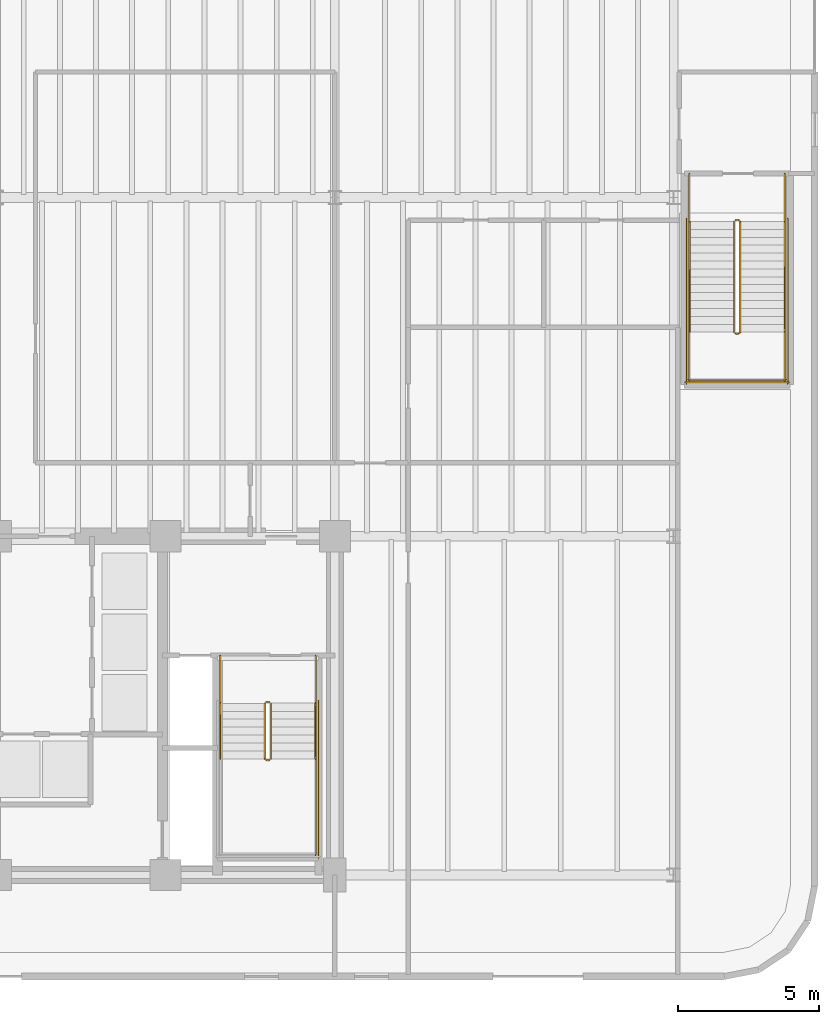
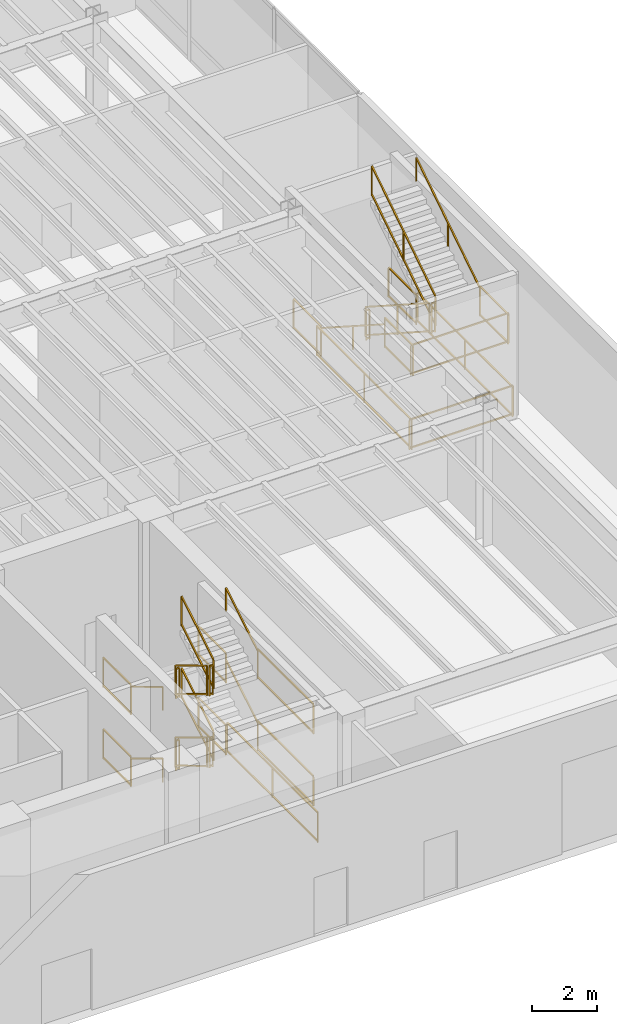
# One storey, part 16 of 17: 33 railings.
"""IFC4 building model written with IfcOpenShell, lengths in metres."""

from ifc_helpers import new_model, si_unit, direction, frame, origin, origin_2d, place, context, subcontext, project, spatial, rectangle, extrude, material, layer, layer_set, type_object, element, save


model = new_model("IFC4")

# Units and contexts
model_context = context("Model", 3, precision=1e-05, world=origin(), true_north=direction((0.0, 1.0)))
body_context = subcontext(model_context, "Body", "Model", "MODEL_VIEW")
ifc_project = project(units=[si_unit("LENGTHUNIT", "METRE"), si_unit("AREAUNIT", "SQUARE_METRE"), si_unit("VOLUMEUNIT", "CUBIC_METRE"), si_unit("PLANEANGLEUNIT", "RADIAN"), si_unit("MASSUNIT", "GRAM", prefix="KILO")], contexts=[model_context])

# Site, building, storey
site_placement = place(None, origin())
site = spatial("IfcSite", under=ifc_project, at=site_placement, CompositionType="ELEMENT")
building_placement = place(site_placement, origin())
building = spatial("IfcBuilding", under=site, at=building_placement, Name="Brelvock Crest Care Tower", CompositionType="ELEMENT")
storey_placement = place(building_placement, origin())
storey = spatial("IfcBuildingStorey", under=building, at=storey_placement, Name="L00", CompositionType="ELEMENT", Elevation=0.0)

# Railings
ifc_material = material(Name="Steel Grade 350", Category="steel")
ifc_layer_1 = layer(ifc_material, 0.050048828125, Name="RL-STG1")
ifc_layer_set_1 = layer_set([ifc_layer_1], Name="Steel Grade 350")
railing_type_1 = type_object("IfcRailingType", Name="RL-STG1", PredefinedType="GUARDRAIL", material=ifc_layer_set_1)
railing_1_placement = place(storey_placement, frame((45.52001953125, 12.080078125, 0.168701171875)))
element("IfcRailing", 1, at=railing_1_placement, inside=storey, type_object=railing_type_1, Name="L00 ST-2 stair guard 1", PredefinedType="GUARDRAIL", context=body_context, shape_type="SweptSolid", body=[
    extrude(rectangle(XDim=0.048095703125, YDim=0.048095703125, at=origin_2d()), frame((0.0, -0.001708984375, 1.116943359375), z_axis=(0.0, -0.856446297458, 0.516236127728), x_axis=(1.0, 0.0, 0.0)), (0.0, 0.0, 1.0), 2.284423828125),
    extrude(rectangle(XDim=0.048095703125, YDim=0.048095703125, at=origin_2d()), frame((0.0, -0.001708984375, 0.05615234375), z_axis=(0.0, -0.856446297458, 0.516236127728), x_axis=(1.0, 0.0, 0.0)), (0.0, 0.0, 1.0), 2.284423828125),
    extrude(rectangle(XDim=0.0419921875, YDim=0.0419921875, at=origin_2d()), origin(), (0.0, 0.0, 1.0), 1.08984375),
    extrude(rectangle(XDim=0.0419921875, YDim=0.0419921875, at=origin_2d()), frame((0.0, -1.9599609375, 1.181396484375)), (0.0, 0.0, 1.0), 1.08984375),
])
railing_2_placement = place(storey_placement, frame((45.570068359375, 10.070068359375, 1.35009765625)))
element("IfcRailing", 2, at=railing_2_placement, inside=storey, type_object=railing_type_1, Name="L00 ST-2 stair guard 2", PredefinedType="GUARDRAIL", context=body_context, shape_type="SweptSolid", body=[
    extrude(rectangle(XDim=0.048095703125, YDim=0.048095703125, at=origin_2d()), frame((0.001953125, 0.0, 1.11572265625), z_axis=(1.0, 0.0, 0.0), x_axis=(0.0, 1.0, 0.0)), (0.0, 0.0, 1.0), 0.115966796875),
    extrude(rectangle(XDim=0.048095703125, YDim=0.048095703125, at=origin_2d()), frame((0.001953125, 0.0, 0.054931640625), z_axis=(1.0, 0.0, 0.0), x_axis=(0.0, 1.0, 0.0)), (0.0, 0.0, 1.0), 0.115966796875),
    extrude(rectangle(XDim=0.0419921875, YDim=0.0419921875, at=origin_2d()), origin(), (0.0, 0.0, 1.0), 1.08984375),
    extrude(rectangle(XDim=0.0419921875, YDim=0.0419921875, at=origin_2d()), frame((0.119873046875, 0.0, 0.0)), (0.0, 0.0, 1.0), 1.08984375),
])
railing_3_placement = place(storey_placement, frame((47.320068359375, 10.1201171875, 1.35009765625)))
element("IfcRailing", 3, at=railing_3_placement, inside=storey, type_object=railing_type_1, Name="L00 ST-2 stair guard 4", PredefinedType="GUARDRAIL", context=body_context, shape_type="SweptSolid", body=[
    extrude(rectangle(XDim=0.048095703125, YDim=0.048095703125, at=origin_2d()), frame((0.0, -0.001953125, 1.11572265625), z_axis=(0.0, -1.0, 0.0), x_axis=(1.0, 0.0, 0.0)), (0.0, 0.0, 1.0), 3.416259765625),
    extrude(rectangle(XDim=0.048095703125, YDim=0.048095703125, at=origin_2d()), frame((0.0, -0.001953125, 0.054931640625), z_axis=(0.0, -1.0, 0.0), x_axis=(1.0, 0.0, 0.0)), (0.0, 0.0, 1.0), 3.416259765625),
    extrude(rectangle(XDim=0.0419921875, YDim=0.0419921875, at=origin_2d()), origin(), (0.0, 0.0, 1.0), 1.08984375),
    extrude(rectangle(XDim=0.0419921875, YDim=0.0419921875, at=origin_2d()), frame((0.0, -3.420166015625, 0.0)), (0.0, 0.0, 1.0), 1.08984375),
])
railing_4_placement = place(storey_placement, frame((45.739990234375, 10.1201171875, 1.518798828125)))
element("IfcRailing", 4, at=railing_4_placement, inside=storey, type_object=railing_type_1, Name="L00 ST-2 stair guard 6", PredefinedType="GUARDRAIL", context=body_context, shape_type="SweptSolid", body=[
    extrude(rectangle(XDim=0.048095703125, YDim=0.048095703125, at=origin_2d()), frame((0.0, 0.001708984375, 1.116943359375), z_axis=(0.0, 0.856493463811, 0.516157869696), x_axis=(-1.0, 0.0, 0.0)), (0.0, 0.0, 1.0), 2.284423828125),
    extrude(rectangle(XDim=0.048095703125, YDim=0.048095703125, at=origin_2d()), frame((0.0, 0.001708984375, 0.05615234375), z_axis=(0.0, 0.856493463811, 0.516157869696), x_axis=(-1.0, 0.0, 0.0)), (0.0, 0.0, 1.0), 2.284423828125),
    extrude(rectangle(XDim=0.0419921875, YDim=0.0419921875, at=origin_2d()), origin(), (0.0, 0.0, 1.0), 1.08984375),
    extrude(rectangle(XDim=0.0419921875, YDim=0.0419921875, at=origin_2d()), frame((0.0, 1.9599609375, 1.18115234375)), (0.0, 0.0, 1.0), 1.08984375),
])
railing_5_placement = place(storey_placement, frame((45.570068359375, 12.1298828125, 2.699951171875)))
element("IfcRailing", 5, at=railing_5_placement, inside=storey, type_object=railing_type_1, Name="L00 ST-2 stair guard 7", PredefinedType="GUARDRAIL", context=body_context, shape_type="SweptSolid", body=[
    extrude(rectangle(XDim=0.048095703125, YDim=0.048095703125, at=origin_2d()), frame((0.001953125, 0.0, 1.11572265625), z_axis=(1.0, 0.0, 0.0), x_axis=(0.0, 1.0, 0.0)), (0.0, 0.0, 1.0), 0.115966796875),
    extrude(rectangle(XDim=0.048095703125, YDim=0.048095703125, at=origin_2d()), frame((0.001953125, 0.0, 0.054931640625), z_axis=(1.0, 0.0, 0.0), x_axis=(0.0, 1.0, 0.0)), (0.0, 0.0, 1.0), 0.115966796875),
    extrude(rectangle(XDim=0.0419921875, YDim=0.0419921875, at=origin_2d()), origin(), (0.0, 0.0, 1.0), 1.08984375),
    extrude(rectangle(XDim=0.0419921875, YDim=0.0419921875, at=origin_2d()), frame((0.119873046875, 0.0, 0.0)), (0.0, 0.0, 1.0), 1.08984375),
])
for number, where, name in (
    (6, (43.93994140625, 13.780029296875, 2.699951171875), "L00 ST-2 stair guard 8"),
    (7, (47.320068359375, 13.780029296875, 2.699951171875), "L00 ST-2 stair guard 9"),
):
    element("IfcRailing", number, at=place(storey_placement, frame(where)), inside=storey, type_object=railing_type_1, Name=name, PredefinedType="GUARDRAIL", context=body_context, shape_type="SweptSolid", body=[
        extrude(rectangle(XDim=0.048095703125, YDim=0.048095703125, at=origin_2d()), frame((0.0, -0.001953125, 1.11572265625), z_axis=(0.0, -1.0, 0.0), x_axis=(1.0, 0.0, 0.0)), (0.0, 0.0, 1.0), 1.696044921875),
        extrude(rectangle(XDim=0.048095703125, YDim=0.048095703125, at=origin_2d()), frame((0.0, -0.001953125, 0.054931640625), z_axis=(0.0, -1.0, 0.0), x_axis=(1.0, 0.0, 0.0)), (0.0, 0.0, 1.0), 1.696044921875),
        extrude(rectangle(XDim=0.0419921875, YDim=0.0419921875, at=origin_2d()), origin(), (0.0, 0.0, 1.0), 1.08984375),
        extrude(rectangle(XDim=0.0419921875, YDim=0.0419921875, at=origin_2d()), frame((0.0, -1.699951171875, 0.0)), (0.0, 0.0, 1.0), 1.08984375),
    ])
railing_6_placement = place(storey_placement, frame((45.52001953125, 12.080078125, 2.86865234375)))
element("IfcRailing", 8, at=railing_6_placement, inside=storey, type_object=railing_type_1, Name="L00 ST-2 stair guard 10", PredefinedType="GUARDRAIL", context=body_context, shape_type="SweptSolid", body=[
    extrude(rectangle(XDim=0.048095703125, YDim=0.048095703125, at=origin_2d()), frame((0.0, -0.001708984375, 1.116943359375), z_axis=(0.0, -0.856446297458, 0.516236127728), x_axis=(1.0, 0.0, 0.0)), (0.0, 0.0, 1.0), 2.284423828125),
    extrude(rectangle(XDim=0.048095703125, YDim=0.048095703125, at=origin_2d()), frame((0.0, -0.001708984375, 0.05615234375), z_axis=(0.0, -0.856446297458, 0.516236127728), x_axis=(1.0, 0.0, 0.0)), (0.0, 0.0, 1.0), 2.284423828125),
    extrude(rectangle(XDim=0.0419921875, YDim=0.0419921875, at=origin_2d()), origin(), (0.0, 0.0, 1.0), 1.08984375),
    extrude(rectangle(XDim=0.0419921875, YDim=0.0419921875, at=origin_2d()), frame((0.0, -1.9599609375, 1.181396484375)), (0.0, 0.0, 1.0), 1.08984375),
])
railing_7_placement = place(storey_placement, frame((45.570068359375, 10.070068359375, 4.050048828125)))
element("IfcRailing", 9, at=railing_7_placement, inside=storey, type_object=railing_type_1, Name="L00 ST-2 stair guard 11", PredefinedType="GUARDRAIL", context=body_context, shape_type="SweptSolid", body=[
    extrude(rectangle(XDim=0.048095703125, YDim=0.048095703125, at=origin_2d()), frame((0.001953125, 0.0, 1.11572265625), z_axis=(1.0, 0.0, 0.0), x_axis=(0.0, 1.0, 0.0)), (0.0, 0.0, 1.0), 0.115966796875),
    extrude(rectangle(XDim=0.048095703125, YDim=0.048095703125, at=origin_2d()), frame((0.001953125, 0.0, 0.054931640625), z_axis=(1.0, 0.0, 0.0), x_axis=(0.0, 1.0, 0.0)), (0.0, 0.0, 1.0), 0.115966796875),
    extrude(rectangle(XDim=0.0419921875, YDim=0.0419921875, at=origin_2d()), origin(), (0.0, 0.0, 1.0), 1.08984375),
    extrude(rectangle(XDim=0.0419921875, YDim=0.0419921875, at=origin_2d()), frame((0.119873046875, 0.0, 0.0)), (0.0, 0.0, 1.0), 1.08984375),
])
railing_8_placement = place(storey_placement, frame((47.320068359375, 10.1201171875, 4.050048828125)))
element("IfcRailing", 10, at=railing_8_placement, inside=storey, type_object=railing_type_1, Name="L00 ST-2 stair guard 13", PredefinedType="GUARDRAIL", context=body_context, shape_type="SweptSolid", body=[
    extrude(rectangle(XDim=0.048095703125, YDim=0.048095703125, at=origin_2d()), frame((0.0, -0.001953125, 1.11572265625), z_axis=(0.0, -1.0, 0.0), x_axis=(1.0, 0.0, 0.0)), (0.0, 0.0, 1.0), 3.416259765625),
    extrude(rectangle(XDim=0.048095703125, YDim=0.048095703125, at=origin_2d()), frame((0.0, -0.001953125, 0.054931640625), z_axis=(0.0, -1.0, 0.0), x_axis=(1.0, 0.0, 0.0)), (0.0, 0.0, 1.0), 3.416259765625),
    extrude(rectangle(XDim=0.0419921875, YDim=0.0419921875, at=origin_2d()), origin(), (0.0, 0.0, 1.0), 1.08984375),
    extrude(rectangle(XDim=0.0419921875, YDim=0.0419921875, at=origin_2d()), frame((0.0, -3.420166015625, 0.0)), (0.0, 0.0, 1.0), 1.08984375),
])
railing_9_placement = place(storey_placement, frame((45.739990234375, 10.1201171875, 4.21875)))
element("IfcRailing", 11, at=railing_9_placement, inside=storey, type_object=railing_type_1, Name="L00 ST-2 stair guard 15", PredefinedType="GUARDRAIL", context=body_context, shape_type="SweptSolid", body=[
    extrude(rectangle(XDim=0.048095703125, YDim=0.048095703125, at=origin_2d()), frame((0.0, 0.001708984375, 1.116943359375), z_axis=(0.0, 0.856493463811, 0.516157869696), x_axis=(-1.0, 0.0, 0.0)), (0.0, 0.0, 1.0), 2.284423828125),
    extrude(rectangle(XDim=0.048095703125, YDim=0.048095703125, at=origin_2d()), frame((0.0, 0.001708984375, 0.05615234375), z_axis=(0.0, 0.856493463811, 0.516157869696), x_axis=(-1.0, 0.0, 0.0)), (0.0, 0.0, 1.0), 2.284423828125),
    extrude(rectangle(XDim=0.0419921875, YDim=0.0419921875, at=origin_2d()), origin(), (0.0, 0.0, 1.0), 1.08984375),
    extrude(rectangle(XDim=0.0419921875, YDim=0.0419921875, at=origin_2d()), frame((0.0, 1.9599609375, 1.18115234375)), (0.0, 0.0, 1.0), 1.08984375),
])
railing_10_placement = place(storey_placement, frame((45.570068359375, 12.1298828125, 0.0)))
element("IfcRailing", 12, at=railing_10_placement, inside=storey, type_object=railing_type_1, Name="L00 ST-2 stair guard 16", PredefinedType="GUARDRAIL", context=body_context, shape_type="SweptSolid", body=[
    extrude(rectangle(XDim=0.048095703125, YDim=0.048095703125, at=origin_2d()), frame((0.001953125, 0.0, 1.11572265625), z_axis=(1.0, 0.0, 0.0), x_axis=(0.0, 1.0, 0.0)), (0.0, 0.0, 1.0), 0.115966796875),
    extrude(rectangle(XDim=0.048095703125, YDim=0.048095703125, at=origin_2d()), frame((0.001953125, 0.0, 0.054931640625), z_axis=(1.0, 0.0, 0.0), x_axis=(0.0, 1.0, 0.0)), (0.0, 0.0, 1.0), 0.115966796875),
    extrude(rectangle(XDim=0.0419921875, YDim=0.0419921875, at=origin_2d()), origin(), (0.0, 0.0, 1.0), 1.08984375),
    extrude(rectangle(XDim=0.0419921875, YDim=0.0419921875, at=origin_2d()), frame((0.119873046875, 0.0, 0.0)), (0.0, 0.0, 1.0), 1.08984375),
])
for number, where, name in (
    (13, (43.93994140625, 13.780029296875, 0.0), "L00 ST-2 stair guard 17"),
    (14, (47.320068359375, 13.780029296875, 0.0), "L00 ST-2 stair guard 18"),
):
    element("IfcRailing", number, at=place(storey_placement, frame(where)), inside=storey, type_object=railing_type_1, Name=name, PredefinedType="GUARDRAIL", context=body_context, shape_type="SweptSolid", body=[
        extrude(rectangle(XDim=0.048095703125, YDim=0.048095703125, at=origin_2d()), frame((0.0, -0.001953125, 1.11572265625), z_axis=(0.0, -1.0, 0.0), x_axis=(1.0, 0.0, 0.0)), (0.0, 0.0, 1.0), 1.696044921875),
        extrude(rectangle(XDim=0.048095703125, YDim=0.048095703125, at=origin_2d()), frame((0.0, -0.001953125, 0.054931640625), z_axis=(0.0, -1.0, 0.0), x_axis=(1.0, 0.0, 0.0)), (0.0, 0.0, 1.0), 1.696044921875),
        extrude(rectangle(XDim=0.0419921875, YDim=0.0419921875, at=origin_2d()), origin(), (0.0, 0.0, 1.0), 1.08984375),
        extrude(rectangle(XDim=0.0419921875, YDim=0.0419921875, at=origin_2d()), frame((0.0, -1.699951171875, 0.0)), (0.0, 0.0, 1.0), 1.08984375),
    ])
railing_11_placement = place(storey_placement, frame((47.419921875, 12.179931640625, 0.0)))
element("IfcRailing", 15, at=railing_11_placement, inside=storey, type_object=railing_type_1, Name="L00 ST-2 stair guard 20", PredefinedType="GUARDRAIL", context=body_context, shape_type="SweptSolid", body=[
    extrude(rectangle(XDim=0.048095703125, YDim=0.048095703125, at=origin_2d()), frame((0.0, -0.001953125, 1.11572265625), z_axis=(0.0, -1.0, 0.0), x_axis=(1.0, 0.0, 0.0)), (0.0, 0.0, 1.0), 5.575927734375),
    extrude(rectangle(XDim=0.048095703125, YDim=0.048095703125, at=origin_2d()), frame((0.0, -0.001953125, 0.054931640625), z_axis=(0.0, -1.0, 0.0), x_axis=(1.0, 0.0, 0.0)), (0.0, 0.0, 1.0), 5.575927734375),
    extrude(rectangle(XDim=0.0419921875, YDim=0.0419921875, at=origin_2d()), origin(), (0.0, 0.0, 1.0), 1.08984375),
    extrude(rectangle(XDim=0.0419921875, YDim=0.0419921875, at=origin_2d()), frame((0.0, -2.7900390625, 0.0)), (0.0, 0.0, 1.0), 1.08984375),
    extrude(rectangle(XDim=0.0419921875, YDim=0.0419921875, at=origin_2d()), frame((0.0, -5.579833984375, 0.0)), (0.0, 0.0, 1.0), 1.08984375),
])
railing_12_placement = place(storey_placement, frame((62.139892578125, 29.14990234375, 0.179931640625)))
element("IfcRailing", 16, at=railing_12_placement, inside=storey, type_object=railing_type_1, Name="L00 ST-4 stair guard 1", PredefinedType="GUARDRAIL", context=body_context, shape_type="SweptSolid", body=[
    extrude(rectangle(XDim=0.048095703125, YDim=0.048095703125, at=origin_2d()), frame((0.0, -0.001708984375, 1.116943359375), z_axis=(0.0, -0.841171666519, 0.540768182723), x_axis=(1.0, 0.0, 0.0)), (0.0, 0.0, 1.0), 4.656005859375),
    extrude(rectangle(XDim=0.048095703125, YDim=0.048095703125, at=origin_2d()), frame((0.0, -0.001708984375, 0.05615234375), z_axis=(0.0, -0.841171666519, 0.540768182723), x_axis=(1.0, 0.0, 0.0)), (0.0, 0.0, 1.0), 4.656005859375),
    extrude(rectangle(XDim=0.0419921875, YDim=0.0419921875, at=origin_2d()), origin(), (0.0, 0.0, 1.0), 1.08984375),
    extrude(rectangle(XDim=0.0419921875, YDim=0.0419921875, at=origin_2d()), frame((0.0, -1.9599609375, 1.260009765625)), (0.0, 0.0, 1.0), 1.08984375),
    extrude(rectangle(XDim=0.0419921875, YDim=0.0419921875, at=origin_2d()), frame((0.0, -3.919921875, 2.52001953125)), (0.0, 0.0, 1.0), 1.08984375),
])
railing_13_placement = place(storey_placement, frame((62.18994140625, 25.179931640625, 2.699951171875)))
element("IfcRailing", 17, at=railing_13_placement, inside=storey, type_object=railing_type_1, Name="L00 ST-4 stair guard 2", PredefinedType="GUARDRAIL", context=body_context, shape_type="SweptSolid", body=[
    extrude(rectangle(XDim=0.048095703125, YDim=0.048095703125, at=origin_2d()), frame((0.001953125, 0.0, 1.11572265625), z_axis=(1.0, 0.0, 0.0), x_axis=(0.0, 1.0, 0.0)), (0.0, 0.0, 1.0), 0.1162109375),
    extrude(rectangle(XDim=0.048095703125, YDim=0.048095703125, at=origin_2d()), frame((0.001953125, 0.0, 0.054931640625), z_axis=(1.0, 0.0, 0.0), x_axis=(0.0, 1.0, 0.0)), (0.0, 0.0, 1.0), 0.1162109375),
    extrude(rectangle(XDim=0.0419921875, YDim=0.0419921875, at=origin_2d()), origin(), (0.0, 0.0, 1.0), 1.08984375),
    extrude(rectangle(XDim=0.0419921875, YDim=0.0419921875, at=origin_2d()), frame((0.1201171875, 0.0, 0.0)), (0.0, 0.0, 1.0), 1.08984375),
])
for number, where, name in (
    (18, (60.56005859375, 25.22998046875, 2.699951171875), "L00 ST-4 stair guard 3"),
    (19, (63.93994140625, 25.22998046875, 2.699951171875), "L00 ST-4 stair guard 4"),
):
    element("IfcRailing", number, at=place(storey_placement, frame(where)), inside=storey, type_object=railing_type_1, Name=name, PredefinedType="GUARDRAIL", context=body_context, shape_type="SweptSolid", body=[
        extrude(rectangle(XDim=0.048095703125, YDim=0.048095703125, at=origin_2d()), frame((0.0, -0.001953125, 1.11572265625), z_axis=(0.0, -1.0, 0.0), x_axis=(1.0, 0.0, 0.0)), (0.0, 0.0, 1.0), 1.72607421875),
        extrude(rectangle(XDim=0.048095703125, YDim=0.048095703125, at=origin_2d()), frame((0.0, -0.001953125, 0.054931640625), z_axis=(0.0, -1.0, 0.0), x_axis=(1.0, 0.0, 0.0)), (0.0, 0.0, 1.0), 1.72607421875),
        extrude(rectangle(XDim=0.0419921875, YDim=0.0419921875, at=origin_2d()), origin(), (0.0, 0.0, 1.0), 1.08984375),
        extrude(rectangle(XDim=0.0419921875, YDim=0.0419921875, at=origin_2d()), frame((0.0, -1.72998046875, 0.0)), (0.0, 0.0, 1.0), 1.08984375),
    ])
railing_14_placement = place(storey_placement, frame((60.510009765625, 23.550048828125, 2.699951171875)))
element("IfcRailing", 20, at=railing_14_placement, inside=storey, type_object=railing_type_1, Name="L00 ST-4 stair guard 5", PredefinedType="GUARDRAIL", context=body_context, shape_type="SweptSolid", body=[
    extrude(rectangle(XDim=0.048095703125, YDim=0.048095703125, at=origin_2d()), frame((0.001953125, 0.0, 1.11572265625), z_axis=(1.0, 0.0, 0.0), x_axis=(0.0, 1.0, 0.0)), (0.0, 0.0, 1.0), 3.47607421875),
    extrude(rectangle(XDim=0.048095703125, YDim=0.048095703125, at=origin_2d()), frame((0.001953125, 0.0, 0.054931640625), z_axis=(1.0, 0.0, 0.0), x_axis=(0.0, 1.0, 0.0)), (0.0, 0.0, 1.0), 3.47607421875),
    extrude(rectangle(XDim=0.0419921875, YDim=0.0419921875, at=origin_2d()), origin(), (0.0, 0.0, 1.0), 1.08984375),
    extrude(rectangle(XDim=0.0419921875, YDim=0.0419921875, at=origin_2d()), frame((3.47998046875, 0.0, 0.0)), (0.0, 0.0, 1.0), 1.08984375),
])
railing_15_placement = place(storey_placement, frame((62.360107421875, 25.22998046875, 2.8798828125)))
element("IfcRailing", 21, at=railing_15_placement, inside=storey, type_object=railing_type_1, Name="L00 ST-4 stair guard 6", PredefinedType="GUARDRAIL", context=body_context, shape_type="SweptSolid", body=[
    extrude(rectangle(XDim=0.048095703125, YDim=0.048095703125, at=origin_2d()), frame((0.0, 0.001708984375, 1.116943359375), z_axis=(0.0, 0.841171666519, 0.540768182723), x_axis=(-1.0, 0.0, 0.0)), (0.0, 0.0, 1.0), 4.656005859375),
    extrude(rectangle(XDim=0.048095703125, YDim=0.048095703125, at=origin_2d()), frame((0.0, 0.001708984375, 0.05615234375), z_axis=(0.0, 0.841171666519, 0.540768182723), x_axis=(-1.0, 0.0, 0.0)), (0.0, 0.0, 1.0), 4.656005859375),
    extrude(rectangle(XDim=0.0419921875, YDim=0.0419921875, at=origin_2d()), origin(), (0.0, 0.0, 1.0), 1.08984375),
    extrude(rectangle(XDim=0.0419921875, YDim=0.0419921875, at=origin_2d()), frame((0.0, 1.9599609375, 1.260009765625)), (0.0, 0.0, 1.0), 1.08984375),
    extrude(rectangle(XDim=0.0419921875, YDim=0.0419921875, at=origin_2d()), frame((0.0, 3.919921875, 2.52001953125)), (0.0, 0.0, 1.0), 1.08984375),
])
railing_16_placement = place(storey_placement, frame((62.18994140625, 29.199951171875, 0.0)))
element("IfcRailing", 22, at=railing_16_placement, inside=storey, type_object=railing_type_1, Name="L00 ST-4 stair guard 7", PredefinedType="GUARDRAIL", context=body_context, shape_type="SweptSolid", body=[
    extrude(rectangle(XDim=0.048095703125, YDim=0.048095703125, at=origin_2d()), frame((0.001953125, 0.0, 1.11572265625), z_axis=(1.0, 0.0, 0.0), x_axis=(0.0, 1.0, 0.0)), (0.0, 0.0, 1.0), 0.1162109375),
    extrude(rectangle(XDim=0.048095703125, YDim=0.048095703125, at=origin_2d()), frame((0.001953125, 0.0, 0.054931640625), z_axis=(1.0, 0.0, 0.0), x_axis=(0.0, 1.0, 0.0)), (0.0, 0.0, 1.0), 0.1162109375),
    extrude(rectangle(XDim=0.0419921875, YDim=0.0419921875, at=origin_2d()), origin(), (0.0, 0.0, 1.0), 1.08984375),
    extrude(rectangle(XDim=0.0419921875, YDim=0.0419921875, at=origin_2d()), frame((0.1201171875, 0.0, 0.0)), (0.0, 0.0, 1.0), 1.08984375),
])
for number, where, name in (
    (23, (60.56005859375, 30.85009765625, 0.0), "L00 ST-4 stair guard 8"),
    (24, (63.93994140625, 30.85009765625, 0.0), "L00 ST-4 stair guard 9"),
):
    element("IfcRailing", number, at=place(storey_placement, frame(where)), inside=storey, type_object=railing_type_1, Name=name, PredefinedType="GUARDRAIL", context=body_context, shape_type="SweptSolid", body=[
        extrude(rectangle(XDim=0.048095703125, YDim=0.048095703125, at=origin_2d()), frame((0.0, -0.001953125, 1.11572265625), z_axis=(0.0, -1.0, 0.0), x_axis=(1.0, 0.0, 0.0)), (0.0, 0.0, 1.0), 1.6962890625),
        extrude(rectangle(XDim=0.048095703125, YDim=0.048095703125, at=origin_2d()), frame((0.0, -0.001953125, 0.054931640625), z_axis=(0.0, -1.0, 0.0), x_axis=(1.0, 0.0, 0.0)), (0.0, 0.0, 1.0), 1.6962890625),
        extrude(rectangle(XDim=0.0419921875, YDim=0.0419921875, at=origin_2d()), origin(), (0.0, 0.0, 1.0), 1.08984375),
        extrude(rectangle(XDim=0.0419921875, YDim=0.0419921875, at=origin_2d()), frame((0.0, -1.7001953125, 0.0)), (0.0, 0.0, 1.0), 1.08984375),
    ])
for number, where, name in (
    (25, (60.4599609375, 29.25, 0.0), "L00 ST-4 stair guard 10"),
    (26, (64.0400390625, 29.25, 0.0), "L00 ST-4 stair guard 11"),
):
    element("IfcRailing", number, at=place(storey_placement, frame(where)), inside=storey, type_object=railing_type_1, Name=name, PredefinedType="GUARDRAIL", context=body_context, shape_type="SweptSolid", body=[
        extrude(rectangle(XDim=0.048095703125, YDim=0.048095703125, at=origin_2d()), frame((0.0, -0.001953125, 1.11572265625), z_axis=(0.0, -1.0, 0.0), x_axis=(1.0, 0.0, 0.0)), (0.0, 0.0, 1.0), 5.84619140625),
        extrude(rectangle(XDim=0.048095703125, YDim=0.048095703125, at=origin_2d()), frame((0.0, -0.001953125, 0.054931640625), z_axis=(0.0, -1.0, 0.0), x_axis=(1.0, 0.0, 0.0)), (0.0, 0.0, 1.0), 5.84619140625),
        extrude(rectangle(XDim=0.0419921875, YDim=0.0419921875, at=origin_2d()), origin(), (0.0, 0.0, 1.0), 1.08984375),
        extrude(rectangle(XDim=0.0419921875, YDim=0.0419921875, at=origin_2d()), frame((0.0, -2.925048828125, 0.0)), (0.0, 0.0, 1.0), 1.08984375),
        extrude(rectangle(XDim=0.0419921875, YDim=0.0419921875, at=origin_2d()), frame((0.0, -5.85009765625, 0.0)), (0.0, 0.0, 1.0), 1.08984375),
    ])
railing_17_placement = place(storey_placement, frame((60.409912109375, 23.449951171875, 0.0)))
element("IfcRailing", 27, at=railing_17_placement, inside=storey, type_object=railing_type_1, Name="L00 ST-4 stair guard 12", PredefinedType="GUARDRAIL", context=body_context, shape_type="SweptSolid", body=[
    extrude(rectangle(XDim=0.048095703125, YDim=0.048095703125, at=origin_2d()), frame((0.001953125, 0.0, 1.11572265625), z_axis=(1.0, 0.0, 0.0), x_axis=(0.0, 1.0, 0.0)), (0.0, 0.0, 1.0), 3.67626953125),
    extrude(rectangle(XDim=0.048095703125, YDim=0.048095703125, at=origin_2d()), frame((0.001953125, 0.0, 0.054931640625), z_axis=(1.0, 0.0, 0.0), x_axis=(0.0, 1.0, 0.0)), (0.0, 0.0, 1.0), 3.67626953125),
    extrude(rectangle(XDim=0.0419921875, YDim=0.0419921875, at=origin_2d()), origin(), (0.0, 0.0, 1.0), 1.08984375),
    extrude(rectangle(XDim=0.0419921875, YDim=0.0419921875, at=origin_2d()), frame((3.68017578125, 0.0, 0.0)), (0.0, 0.0, 1.0), 1.08984375),
])
ifc_layer_2 = layer(ifc_material, 0.048095703125, Name="RL-STH1")
ifc_layer_set_2 = layer_set([ifc_layer_2], Name="Steel Grade 350")
railing_type_2 = type_object("IfcRailingType", Name="RL-STH1", PredefinedType="HANDRAIL", material=ifc_layer_set_2)
railing_18_placement = place(storey_placement, frame((43.93994140625, 12.080078125, 0.168701171875)))
element("IfcRailing", 28, at=railing_18_placement, inside=storey, type_object=railing_type_2, Name="L00 ST-2 stair handrail 1", PredefinedType="HANDRAIL", context=body_context, shape_type="SweptSolid", body=[
    extrude(rectangle(XDim=0.048095703125, YDim=0.048095703125, at=origin_2d()), frame((0.0, -0.001708984375, 0.876953125), z_axis=(0.0, -0.856446297458, 0.516236127728), x_axis=(1.0, 0.0, 0.0)), (0.0, 0.0, 1.0), 2.284423828125),
    extrude(rectangle(XDim=0.0419921875, YDim=0.0419921875, at=origin_2d()), origin(), (0.0, 0.0, 1.0), 0.849853515625),
    extrude(rectangle(XDim=0.0419921875, YDim=0.0419921875, at=origin_2d()), frame((0.0, -1.9599609375, 1.181396484375)), (0.0, 0.0, 1.0), 0.849853515625),
])
railing_19_placement = place(storey_placement, frame((47.320068359375, 10.1201171875, 1.518798828125)))
element("IfcRailing", 29, at=railing_19_placement, inside=storey, type_object=railing_type_2, Name="L00 ST-2 stair handrail 2", PredefinedType="HANDRAIL", context=body_context, shape_type="SweptSolid", body=[
    extrude(rectangle(XDim=0.048095703125, YDim=0.048095703125, at=origin_2d()), frame((0.0, 0.001708984375, 0.876953125), z_axis=(0.0, 0.856493463811, 0.516157869696), x_axis=(-1.0, 0.0, 0.0)), (0.0, 0.0, 1.0), 2.284423828125),
    extrude(rectangle(XDim=0.0419921875, YDim=0.0419921875, at=origin_2d()), origin(), (0.0, 0.0, 1.0), 0.849853515625),
    extrude(rectangle(XDim=0.0419921875, YDim=0.0419921875, at=origin_2d()), frame((0.0, 1.9599609375, 1.18115234375)), (0.0, 0.0, 1.0), 0.849853515625),
])
railing_20_placement = place(storey_placement, frame((43.93994140625, 12.080078125, 2.86865234375)))
element("IfcRailing", 30, at=railing_20_placement, inside=storey, type_object=railing_type_2, Name="L00 ST-2 stair handrail 3", PredefinedType="HANDRAIL", context=body_context, shape_type="SweptSolid", body=[
    extrude(rectangle(XDim=0.048095703125, YDim=0.048095703125, at=origin_2d()), frame((0.0, -0.001708984375, 0.876953125), z_axis=(0.0, -0.856446297458, 0.516236127728), x_axis=(1.0, 0.0, 0.0)), (0.0, 0.0, 1.0), 2.284423828125),
    extrude(rectangle(XDim=0.0419921875, YDim=0.0419921875, at=origin_2d()), origin(), (0.0, 0.0, 1.0), 0.849853515625),
    extrude(rectangle(XDim=0.0419921875, YDim=0.0419921875, at=origin_2d()), frame((0.0, -1.9599609375, 1.181396484375)), (0.0, 0.0, 1.0), 0.849853515625),
])
railing_21_placement = place(storey_placement, frame((47.320068359375, 10.1201171875, 4.21875)))
element("IfcRailing", 31, at=railing_21_placement, inside=storey, type_object=railing_type_2, Name="L00 ST-2 stair handrail 4", PredefinedType="HANDRAIL", context=body_context, shape_type="SweptSolid", body=[
    extrude(rectangle(XDim=0.048095703125, YDim=0.048095703125, at=origin_2d()), frame((0.0, 0.001708984375, 0.876953125), z_axis=(0.0, 0.856493463811, 0.516157869696), x_axis=(-1.0, 0.0, 0.0)), (0.0, 0.0, 1.0), 2.284423828125),
    extrude(rectangle(XDim=0.0419921875, YDim=0.0419921875, at=origin_2d()), origin(), (0.0, 0.0, 1.0), 0.849853515625),
    extrude(rectangle(XDim=0.0419921875, YDim=0.0419921875, at=origin_2d()), frame((0.0, 1.9599609375, 1.18115234375)), (0.0, 0.0, 1.0), 0.849853515625),
])
railing_22_placement = place(storey_placement, frame((60.56005859375, 29.14990234375, 0.179931640625)))
element("IfcRailing", 32, at=railing_22_placement, inside=storey, type_object=railing_type_2, Name="L00 ST-4 stair handrail 1", PredefinedType="HANDRAIL", context=body_context, shape_type="SweptSolid", body=[
    extrude(rectangle(XDim=0.048095703125, YDim=0.048095703125, at=origin_2d()), frame((0.0, -0.001708984375, 0.876953125), z_axis=(0.0, -0.841171666519, 0.540768182723), x_axis=(1.0, 0.0, 0.0)), (0.0, 0.0, 1.0), 4.656005859375),
    extrude(rectangle(XDim=0.0419921875, YDim=0.0419921875, at=origin_2d()), origin(), (0.0, 0.0, 1.0), 0.849853515625),
    extrude(rectangle(XDim=0.0419921875, YDim=0.0419921875, at=origin_2d()), frame((0.0, -1.9599609375, 1.260009765625)), (0.0, 0.0, 1.0), 0.849853515625),
    extrude(rectangle(XDim=0.0419921875, YDim=0.0419921875, at=origin_2d()), frame((0.0, -3.919921875, 2.52001953125)), (0.0, 0.0, 1.0), 0.849853515625),
])
railing_23_placement = place(storey_placement, frame((63.93994140625, 25.22998046875, 2.8798828125)))
element("IfcRailing", 33, at=railing_23_placement, inside=storey, type_object=railing_type_2, Name="L00 ST-4 stair handrail 2", PredefinedType="HANDRAIL", context=body_context, shape_type="SweptSolid", body=[
    extrude(rectangle(XDim=0.048095703125, YDim=0.048095703125, at=origin_2d()), frame((0.0, 0.001708984375, 0.876953125), z_axis=(0.0, 0.841171666519, 0.540768182723), x_axis=(-1.0, 0.0, 0.0)), (0.0, 0.0, 1.0), 4.656005859375),
    extrude(rectangle(XDim=0.0419921875, YDim=0.0419921875, at=origin_2d()), origin(), (0.0, 0.0, 1.0), 0.849853515625),
    extrude(rectangle(XDim=0.0419921875, YDim=0.0419921875, at=origin_2d()), frame((0.0, 1.9599609375, 1.260009765625)), (0.0, 0.0, 1.0), 0.849853515625),
    extrude(rectangle(XDim=0.0419921875, YDim=0.0419921875, at=origin_2d()), frame((0.0, 3.919921875, 2.52001953125)), (0.0, 0.0, 1.0), 0.849853515625),
])

save(model, "model.ifc")
